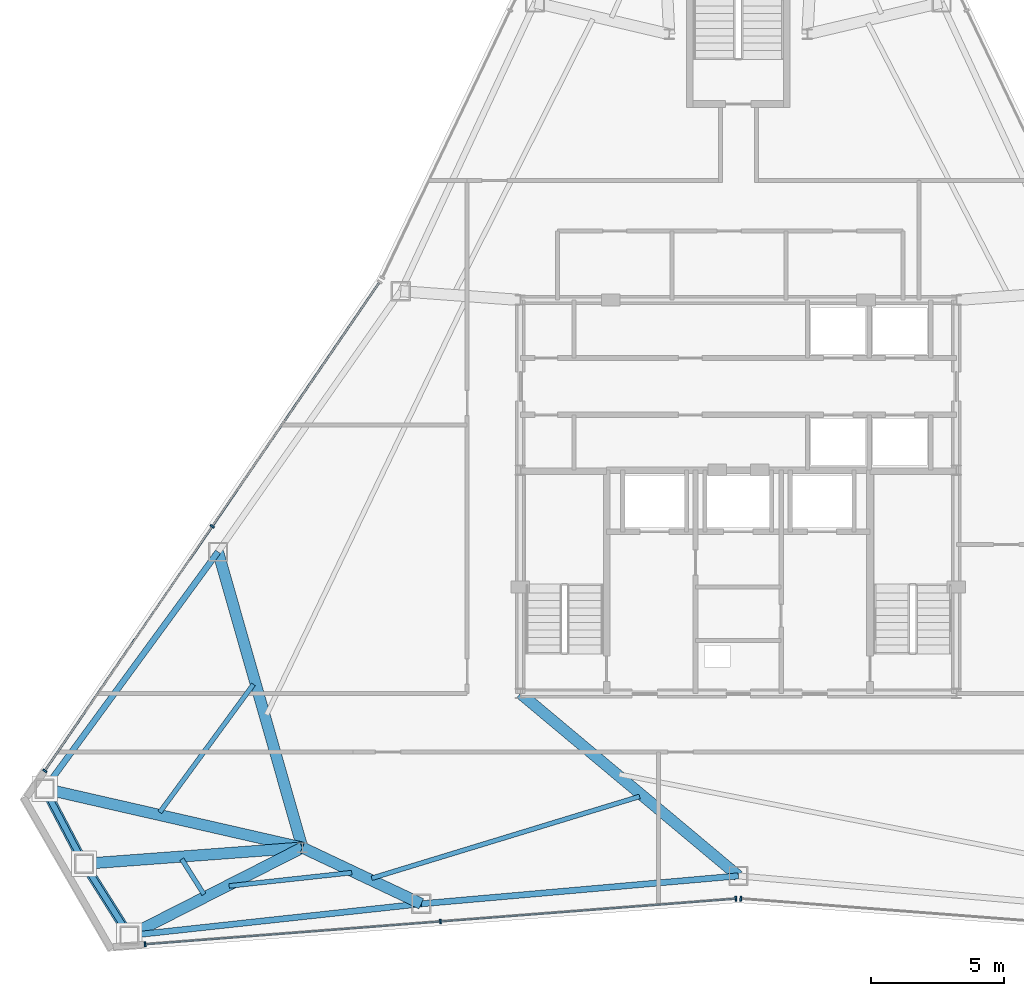
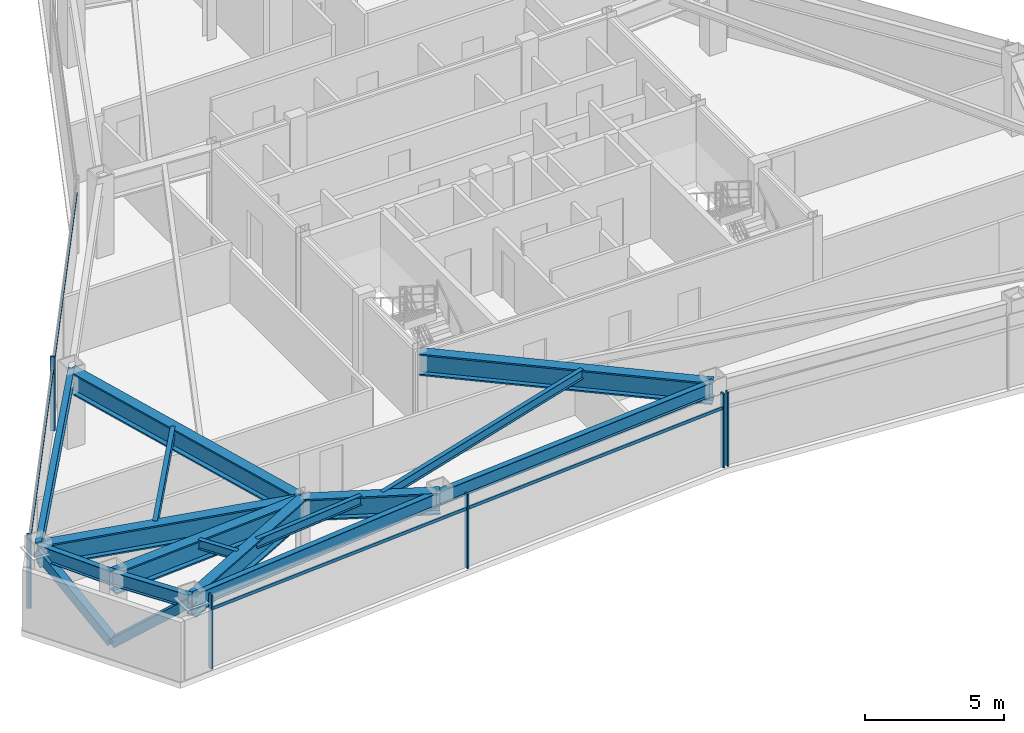
# One storey, part 3 of 11: 15 beams, 10 members, 3 elements without a shape of their own.
"""IFC4 building model written with IfcOpenShell, lengths in metres."""

from ifc_helpers import new_model, si_unit, direction, frame, origin, origin_2d, place, context, subcontext, project, spatial, rectangle, hollow_rectangle, i_section, extrude, source, transform, mapped, material, layer, layer_set, material_profile, profile_set, type_object, type_shapes, element, aggregate, save


model = new_model("IFC4")

# Units and contexts
model_context = context("Model", 3, precision=1e-05, world=origin(), true_north=direction((0.0, 1.0)))
body_context = subcontext(model_context, "Body", "Model", "MODEL_VIEW")
ifc_project = project(units=[si_unit("LENGTHUNIT", "METRE"), si_unit("AREAUNIT", "SQUARE_METRE"), si_unit("VOLUMEUNIT", "CUBIC_METRE"), si_unit("PLANEANGLEUNIT", "RADIAN"), si_unit("MASSUNIT", "GRAM", prefix="KILO")], contexts=[model_context])

# Site, building, storey
site_placement = place(None, origin())
site = spatial("IfcSite", under=ifc_project, at=site_placement, CompositionType="ELEMENT")
building_placement = place(site_placement, origin())
building = spatial("IfcBuilding", under=site, at=building_placement, Name="Varakhsha Concourse Tower", CompositionType="ELEMENT")
storey_placement = place(building_placement, frame((0.0, 0.0, 215.39990234375)))
storey = spatial("IfcBuildingStorey", under=building, at=storey_placement, Name="L61", CompositionType="ELEMENT", Elevation=215.39990234375)

# Beams
ifc_material_1 = material(Name="Structural Steel ASTM A992 Grade 50", Category="steel")
ifc_material_profile_1 = material_profile(ifc_material_1, i_section(OverallWidth=0.177978515625, OverallDepth=0.406982421875, WebThickness=0.008056640625, FlangeThickness=0.012939453125, at=origin_2d()), Name="W16X40")
ifc_profile_set_1 = profile_set([ifc_material_profile_1], Name="Structural Steel ASTM A992 Grade 50")
beam_type_1 = type_object("IfcBeamType", Name="BM-JST-W16X40", PredefinedType="JOIST", material=ifc_profile_set_1)
beam_1_placement = place(storey_placement, frame((21.75830078125, 16.74169921875, 3.046630859375), z_axis=(-0.590573714618, -0.806983697234, 0.0), x_axis=(0.806983697234, -0.590573714618, 0.0)))
element("IfcBeam", 1, at=beam_1_placement, inside=storey, type_object=beam_type_1, Name="BM-TJST-L61-06", PredefinedType="JOIST", context=body_context, shape_type="SweptSolid", body=[
    extrude(i_section(OverallWidth=0.177978515625, OverallDepth=0.406982421875, WebThickness=0.008056640625, FlangeThickness=0.012939453125, at=origin_2d()), origin(), (0.0, 0.0, 1.0), 5.96435546875),
])
beam_2_placement = place(storey_placement, frame((19.060791015625, 10.166015625, 3.046630859375), z_axis=(0.53380527951, -0.845607428756, 0.0), x_axis=(0.845607428756, 0.53380527951, 0.0)))
element("IfcBeam", 2, at=beam_2_placement, inside=storey, type_object=beam_type_1, Name="BM-TJST-L61-08", PredefinedType="JOIST", context=body_context, shape_type="SweptSolid", body=[
    extrude(i_section(OverallWidth=0.177978515625, OverallDepth=0.406982421875, WebThickness=0.008056640625, FlangeThickness=0.012939453125, at=origin_2d()), origin(), (0.0, 0.0, 1.0), 1.56591796875),
])
beam_3_placement = place(storey_placement, frame((20.845703125, 9.1572265625, 3.046630859375), z_axis=(0.994152816848, 0.107982298336, 0.0), x_axis=(-0.107982298336, 0.994152816848, 0.0)))
element("IfcBeam", 3, at=beam_3_placement, inside=storey, type_object=beam_type_1, Name="BM-TJST-L61-09", PredefinedType="JOIST", context=body_context, shape_type="SweptSolid", body=[
    extrude(i_section(OverallWidth=0.177978515625, OverallDepth=0.406982421875, WebThickness=0.008056640625, FlangeThickness=0.012939453125, at=origin_2d()), origin(), (0.0, 0.0, 1.0), 4.639404296875),
])
beam_4_placement = place(storey_placement, frame((26.208984375, 9.448486328125, 3.046630859375), z_axis=(0.956442357889, 0.291921249716, 0.0), x_axis=(-0.291921249716, 0.956442357889, 0.0)))
element("IfcBeam", 4, at=beam_4_placement, inside=storey, type_object=beam_type_1, Name="BM-TJST-L61-10", PredefinedType="JOIST", context=body_context, shape_type="SweptSolid", body=[
    extrude(i_section(OverallWidth=0.177978515625, OverallDepth=0.406982421875, WebThickness=0.008056640625, FlangeThickness=0.012939453125, at=origin_2d()), origin(), (0.0, 0.0, 1.0), 10.536865234375),
])
ifc_material_profile_2 = material_profile(ifc_material_1, i_section(OverallWidth=0.423095703125, OverallDepth=0.947998046875, WebThickness=0.0380859375, FlangeThickness=0.06396484375, at=origin_2d()), Name="W36X302")
ifc_profile_set_2 = profile_set([ifc_material_profile_2], Name="Structural Steel ASTM A992 Grade 50")
beam_type_2 = type_object("IfcBeamType", Name="BM-OUTR-W36X302", PredefinedType="USERDEFINED", material=ifc_profile_set_2)
beam_5_placement = place(storey_placement, frame((23.60009765625, 10.60009765625, 2.776123046875), z_axis=(-0.274261234585, 0.961655226785, 0.0), x_axis=(-0.961655226785, -0.274261234585, 0.0)))
element("IfcBeam", 5, at=beam_5_placement, inside=storey, type_object=beam_type_2, Name="L61 Radial Floor Girder 06", ObjectType="GIRDER", PredefinedType="USERDEFINED", context=body_context, shape_type="SweptSolid", body=[
    extrude(i_section(OverallWidth=0.423095703125, OverallDepth=0.947998046875, WebThickness=0.0380859375, FlangeThickness=0.06396484375, at=origin_2d()), origin(), (0.0, 0.0, 1.0), 11.569580078125),
])
beam_6_placement = place(storey_placement, frame((23.60009765625, 10.60009765625, 2.776123046875), z_axis=(-0.974910741662, 0.222596149547, 0.0), x_axis=(-0.222596149547, -0.974910741662, 0.0)))
element("IfcBeam", 6, at=beam_6_placement, inside=storey, type_object=beam_type_2, Name="L61 Radial Floor Girder 07", ObjectType="GIRDER", PredefinedType="USERDEFINED", context=body_context, shape_type="SweptSolid", body=[
    extrude(i_section(OverallWidth=0.423095703125, OverallDepth=0.947998046875, WebThickness=0.0380859375, FlangeThickness=0.06396484375, at=origin_2d()), origin(), (0.0, 0.0, 1.0), 9.944580078125),
])
beam_7_placement = place(storey_placement, frame((23.60009765625, 10.60009765625, 2.776123046875), z_axis=(-0.99726143975, -0.073956884649, 0.0), x_axis=(0.073956884649, -0.99726143975, 0.0)))
element("IfcBeam", 7, at=beam_7_placement, inside=storey, type_object=beam_type_2, Name="L61 Radial Floor Girder 08", ObjectType="GIRDER", PredefinedType="USERDEFINED", context=body_context, shape_type="SweptSolid", body=[
    extrude(i_section(OverallWidth=0.423095703125, OverallDepth=0.947998046875, WebThickness=0.0380859375, FlangeThickness=0.06396484375, at=origin_2d()), origin(), (0.0, 0.0, 1.0), 8.23291015625),
])
beam_8_placement = place(storey_placement, frame((23.60009765625, 10.60009765625, 2.776123046875), z_axis=(-0.891573080646, -0.452876850665, 0.0), x_axis=(0.452876850665, -0.891573080646, 0.0)))
element("IfcBeam", 8, at=beam_8_placement, inside=storey, type_object=beam_type_2, Name="L61 Radial Floor Girder 09", ObjectType="GIRDER", PredefinedType="USERDEFINED", context=body_context, shape_type="SweptSolid", body=[
    extrude(i_section(OverallWidth=0.423095703125, OverallDepth=0.947998046875, WebThickness=0.0380859375, FlangeThickness=0.06396484375, at=origin_2d()), origin(), (0.0, 0.0, 1.0), 7.2998046875),
])
beam_9_placement = place(storey_placement, frame((23.60009765625, 10.60009765625, 2.776123046875), z_axis=(0.904054231678, -0.427417765406, 0.0), x_axis=(0.427417765406, 0.904054231678, 0.0)))
element("IfcBeam", 9, at=beam_9_placement, inside=storey, type_object=beam_type_2, Name="L61 Radial Floor Girder 10", ObjectType="GIRDER", PredefinedType="USERDEFINED", context=body_context, shape_type="SweptSolid", body=[
    extrude(i_section(OverallWidth=0.423095703125, OverallDepth=0.947998046875, WebThickness=0.0380859375, FlangeThickness=0.06396484375, at=origin_2d()), origin(), (0.0, 0.0, 1.0), 4.945556640625),
])
beam_10_placement = place(storey_placement, frame((31.800048828125, 16.39990234375, 2.776123046875), z_axis=(0.766840251923, -0.641838007624, 0.0), x_axis=(0.641838007624, 0.766840251923, 0.0)))
element("IfcBeam", 10, at=beam_10_placement, inside=storey, type_object=beam_type_2, Name="L61 Radial Floor Girder 11", ObjectType="GIRDER", PredefinedType="USERDEFINED", context=body_context, shape_type="SweptSolid", body=[
    extrude(i_section(OverallWidth=0.423095703125, OverallDepth=0.947998046875, WebThickness=0.0380859375, FlangeThickness=0.06396484375, at=origin_2d()), origin(), (0.0, 0.0, 1.0), 10.693115234375),
])
ifc_material_profile_3 = material_profile(ifc_material_1, i_section(OverallWidth=0.22900390625, OverallDepth=0.612060546875, WebThickness=0.011962890625, FlangeThickness=0.02001953125, at=origin_2d()), Name="W24X84")
ifc_profile_set_3 = profile_set([ifc_material_profile_3], Name="Structural Steel ASTM A992 Grade 50")
beam_type_3 = type_object("IfcBeamType", Name="BM-SPAN-W24X84", PredefinedType="SPANDREL", material=ifc_profile_set_3)
beam_11_placement = place(storey_placement, frame((20.427001953125, 21.72607421875, 2.944091796875), z_axis=(-0.590553538484, -0.806998462318, 0.0), x_axis=(0.806998462318, -0.590553538484, 0.0)))
element("IfcBeam", 11, at=beam_11_placement, inside=storey, type_object=beam_type_3, Name="BM-SPAN-L61-06", PredefinedType="SPANDREL", context=body_context, shape_type="SweptSolid", body=[
    extrude(i_section(OverallWidth=0.22900390625, OverallDepth=0.612060546875, WebThickness=0.011962890625, FlangeThickness=0.02001953125, at=origin_2d()), origin(), (0.0, 0.0, 1.0), 11.0439453125),
])
for number, where, z_axis, x_axis, name in (
    (12, (13.905029296875, 12.813720703125, 2.944091796875), (0.465522403163, -0.885036096525, 0.0), (0.885036096525, 0.465522403163, 0.0), "BM-SPAN-L61-07"),
    (13, (15.3896484375, 9.9912109375, 2.944091796875), (0.533716468217, -0.845663486, 0.0), (0.845663486, 0.533716468217, 0.0), "BM-SPAN-L61-08"),
):
    element("IfcBeam", number, at=place(storey_placement, frame(where, z_axis=z_axis, x_axis=x_axis)), inside=storey, type_object=beam_type_3, Name=name, PredefinedType="SPANDREL", context=body_context, shape_type="SweptSolid", body=[
        extrude(i_section(OverallWidth=0.22900390625, OverallDepth=0.612060546875, WebThickness=0.011962890625, FlangeThickness=0.02001953125, at=origin_2d()), origin(), (0.0, 0.0, 1.0), 3.189208984375),
    ])
beam_12_placement = place(storey_placement, frame((17.091796875, 7.294189453125, 2.944091796875), z_axis=(0.99415669226, 0.107946612891, 0.0), x_axis=(-0.107946612891, 0.99415669226, 0.0)))
element("IfcBeam", 14, at=beam_12_placement, inside=storey, type_object=beam_type_3, Name="BM-SPAN-L61-09", PredefinedType="SPANDREL", context=body_context, shape_type="SweptSolid", body=[
    extrude(i_section(OverallWidth=0.22900390625, OverallDepth=0.612060546875, WebThickness=0.011962890625, FlangeThickness=0.02001953125, at=origin_2d()), origin(), (0.0, 0.0, 1.0), 11.043701171875),
])
beam_13_placement = place(storey_placement, frame((28.071044921875, 8.486328125, 2.944091796875), z_axis=(0.996146369773, 0.087706385108, 0.0), x_axis=(-0.087706385108, 0.996146369773, 0.0)))
element("IfcBeam", 15, at=beam_13_placement, inside=storey, type_object=beam_type_3, Name="BM-SPAN-L61-10", PredefinedType="SPANDREL", context=body_context, shape_type="SweptSolid", body=[
    extrude(i_section(OverallWidth=0.22900390625, OverallDepth=0.612060546875, WebThickness=0.011962890625, FlangeThickness=0.02001953125, at=origin_2d()), origin(), (0.0, 0.0, 1.0), 11.97509765625),
])

# Members
ifc_material_2 = material(Name="Structural Steel ASTM A500 Grade C", Category="steel")
ifc_material_profile_4 = material_profile(ifc_material_2, hollow_rectangle(XDim=0.35009765625, YDim=0.35009765625, WallThickness=0.01611328125, at=origin_2d()), Name="HSS 350x350x16")
ifc_profile_set_4 = profile_set([ifc_material_profile_4], Name="Structural Steel ASTM A500 Grade C")
member_type_1 = type_object("IfcMemberType", Name="MB-TUBE-HSS350", PredefinedType="BRACE", material=ifc_profile_set_4)
shared_shape_1 = source(origin(), body_context, "Body", "SweptSolid", [
    extrude(hollow_rectangle(XDim=0.35009765625, YDim=0.35009765625, WallThickness=0.01611328125, at=origin_2d()), origin(), (0.0, 0.0, 1.0), 4.263916015625),
])
type_shapes(member_type_1, [shared_shape_1])
for number, where, z_axis, x_axis, name in (
    (16, (15.3896484375, 9.9912109375, 0.1201171875), (-0.348191484068, 0.661970358052, 0.663745384529), (-0.885036096525, -0.465522403163, 0.0), "L61 Wind-Corner Tube Brace B03"),
    (17, (15.3896484375, 9.9912109375, 0.1201171875), (0.399202825625, -0.632529204631, 0.66373481851), (0.845663486, 0.533716468217, 0.0), "L61 Wind-Corner Tube Brace B04"),
):
    element("IfcMember", number, at=place(storey_placement, frame(where, z_axis=z_axis, x_axis=x_axis)), inside=storey, type_object=member_type_1, Name=name, PredefinedType="BRACE", context=body_context, shape_type="MappedRepresentation", body=[
        mapped(shared_shape_1, transform((0.0, 0.0, 0.0), scale=1.0)),
    ])

# Curtain wall, members
ifc_material_3 = material(Name="Anodised Bronze Architectural Aluminium AA 6063-T6", Category="aluminium")
ifc_layer = layer(ifc_material_3, 0.199951171875, Name="CW-SYS-05")
ifc_layer_set = layer_set([ifc_layer], Name="Anodised Bronze Architectural Aluminium AA 6063-T6")
curtain_wall_type = type_object("IfcCurtainWallType", Name="CW-SYS-05", PredefinedType="NOTDEFINED", material=ifc_layer_set)
curtain_wall_1_placement = place(storey_placement, origin())
curtain_wall_1 = element("IfcCurtainWall", 18, at=curtain_wall_1_placement, inside=storey, type_object=curtain_wall_type, Name="L61 Crystal Curtain Wall F3", PredefinedType="NOTDEFINED")
ifc_material_profile_5 = material_profile(ifc_material_3, rectangle(XDim=0.06494140625, YDim=0.179931640625, at=origin_2d()), Name="CWM-180X65")
ifc_profile_set_5 = profile_set([ifc_material_profile_5], Name="Anodised Bronze Architectural Aluminium AA 6063-T6")
member_type_2 = type_object("IfcMemberType", Name="CWM-180X65", PredefinedType="MULLION", material=ifc_profile_set_5)
shared_shape_2 = source(origin(), body_context, "Body", "SweptSolid", [
    extrude(rectangle(XDim=0.06494140625, YDim=0.179931640625, at=origin_2d()), origin(), (0.0, 0.0, 1.0), 3.25),
])
type_shapes(member_type_2, [shared_shape_2])
member_1_placement = place(storey_placement, frame((13.912109375, 13.490234375, 0.0), z_axis=(0.0, 0.0, 1.0), x_axis=(0.565172919372, 0.82497246694, 0.0)))
member_1 = element("IfcMember", 19, at=member_1_placement, type_object=member_type_2, Name="CW-L61-F3 Mullion 00", PredefinedType="MULLION", context=body_context, shape_type="MappedRepresentation", body=[
    mapped(shared_shape_2, transform((0.0, 0.0, 0.0), scale=1.0)),
])
member_2_placement = place(storey_placement, frame((20.2119140625, 22.685791015625, 0.0), z_axis=(0.0, 0.0, 1.0), x_axis=(0.565172919372, 0.82497246694, 0.0)))
member_2 = element("IfcMember", 20, at=member_2_placement, type_object=member_type_2, Name="CW-L61-F3 Mullion 01", PredefinedType="MULLION", context=body_context, shape_type="MappedRepresentation", body=[
    mapped(shared_shape_2, transform((0.0, 0.0, 0.0), scale=1.0)),
])

curtain_wall_2_placement = place(storey_placement, origin())
curtain_wall_2 = element("IfcCurtainWall", 21, at=curtain_wall_2_placement, inside=storey, type_object=curtain_wall_type, Name="L61 Crystal Curtain Wall F5", PredefinedType="NOTDEFINED")
member_3_placement = place(storey_placement, frame((39.907958984375, 8.677978515625, 0.0), z_axis=(0.0, 0.0, 1.0), x_axis=(-0.997034110791, -0.076960911628, 0.0)))
member_3 = element("IfcMember", 22, at=member_3_placement, type_object=member_type_2, Name="CW-L61-F5 Mullion 00", PredefinedType="MULLION", context=body_context, shape_type="MappedRepresentation", body=[
    mapped(shared_shape_2, transform((0.0, 0.0, 0.0), scale=1.0)),
])
member_4_placement = place(storey_placement, frame((28.79443359375, 7.820068359375, 0.0), z_axis=(0.0, 0.0, 1.0), x_axis=(-0.997034110791, -0.076960911628, 0.0)))
member_4 = element("IfcMember", 23, at=member_4_placement, type_object=member_type_2, Name="CW-L61-F5 Mullion 01", PredefinedType="MULLION", context=body_context, shape_type="MappedRepresentation", body=[
    mapped(shared_shape_2, transform((0.0, 0.0, 0.0), scale=1.0)),
])
member_5_placement = place(storey_placement, frame((17.680908203125, 6.962158203125, 0.0), z_axis=(0.0, 0.0, 1.0), x_axis=(-0.997034110791, -0.076960911628, 0.0)))
member_5 = element("IfcMember", 24, at=member_5_placement, type_object=member_type_2, Name="CW-L61-F5 Mullion 02", PredefinedType="MULLION", context=body_context, shape_type="MappedRepresentation", body=[
    mapped(shared_shape_2, transform((0.0, 0.0, 0.0), scale=1.0)),
])

# Curtain wall, member
curtain_wall_3_placement = place(storey_placement, origin())
curtain_wall_3 = element("IfcCurtainWall", 25, at=curtain_wall_3_placement, inside=storey, type_object=curtain_wall_type, Name="L61 Crystal Curtain Wall F6", PredefinedType="NOTDEFINED")
member_6_placement = place(storey_placement, frame((40.092041015625, 8.677978515625, 0.0), z_axis=(0.0, 0.0, 1.0), x_axis=(-0.997034110791, 0.076960911628, 0.0)))
member_6 = element("IfcMember", 26, at=member_6_placement, type_object=member_type_2, Name="CW-L61-F6 Mullion 02", PredefinedType="MULLION", context=body_context, shape_type="MappedRepresentation", body=[
    mapped(shared_shape_2, transform((0.0, 0.0, 0.0), scale=1.0)),
])
aggregate(curtain_wall_3, [member_6])

# Member
ifc_material_profile_6 = material_profile(ifc_material_3, rectangle(XDim=0.06005859375, YDim=0.139892578125, at=origin_2d()), Name="CWT-140X60")
ifc_profile_set_6 = profile_set([ifc_material_profile_6], Name="Anodised Bronze Architectural Aluminium AA 6063-T6")
member_type_3 = type_object("IfcMemberType", Name="CWT-140X60", PredefinedType="USERDEFINED", material=ifc_profile_set_6)
shared_shape_3 = source(origin(), body_context, "Body", "SweptSolid", [
    extrude(rectangle(XDim=0.06005859375, YDim=0.139892578125, at=origin_2d()), origin(), (0.0, 0.0, 1.0), 22.29296875),
])
member_7_placement = place(storey_placement, frame((13.912109375, 13.490234375, 2.60009765625), z_axis=(0.565171817913, 0.824973221527, 0.0), x_axis=(-0.824973221527, 0.565171817913, 0.0)))
member_7 = element("IfcMember", 27, at=member_7_placement, type_object=member_type_3, Name="CW-L61-F3 Transom 01", ObjectType="TRANSOM", PredefinedType="USERDEFINED", context=body_context, shape_type="MappedRepresentation", body=[
    mapped(shared_shape_3, transform((0.0, 0.0, 0.0), scale=1.0)),
])

aggregate(curtain_wall_1, [member_1, member_2, member_7])

shared_shape_4 = source(origin(), body_context, "Body", "SweptSolid", [
    extrude(rectangle(XDim=0.06005859375, YDim=0.139892578125, at=origin_2d()), origin(), (0.0, 0.0, 1.0), 22.293212890625),
])
type_shapes(member_type_3, [shared_shape_3, shared_shape_4])
member_8_placement = place(storey_placement, frame((39.907958984375, 8.677978515625, 2.60009765625), z_axis=(-0.997033705872, -0.076966157212, 0.0), x_axis=(0.076966157212, -0.997033705872, 0.0)))
member_8 = element("IfcMember", 28, at=member_8_placement, type_object=member_type_3, Name="CW-L61-F5 Transom 01", ObjectType="TRANSOM", PredefinedType="USERDEFINED", context=body_context, shape_type="MappedRepresentation", body=[
    mapped(shared_shape_4, transform((0.0, 0.0, 0.0), scale=1.0)),
])

aggregate(curtain_wall_2, [member_3, member_4, member_5, member_8])

save(model, "model.ifc")
